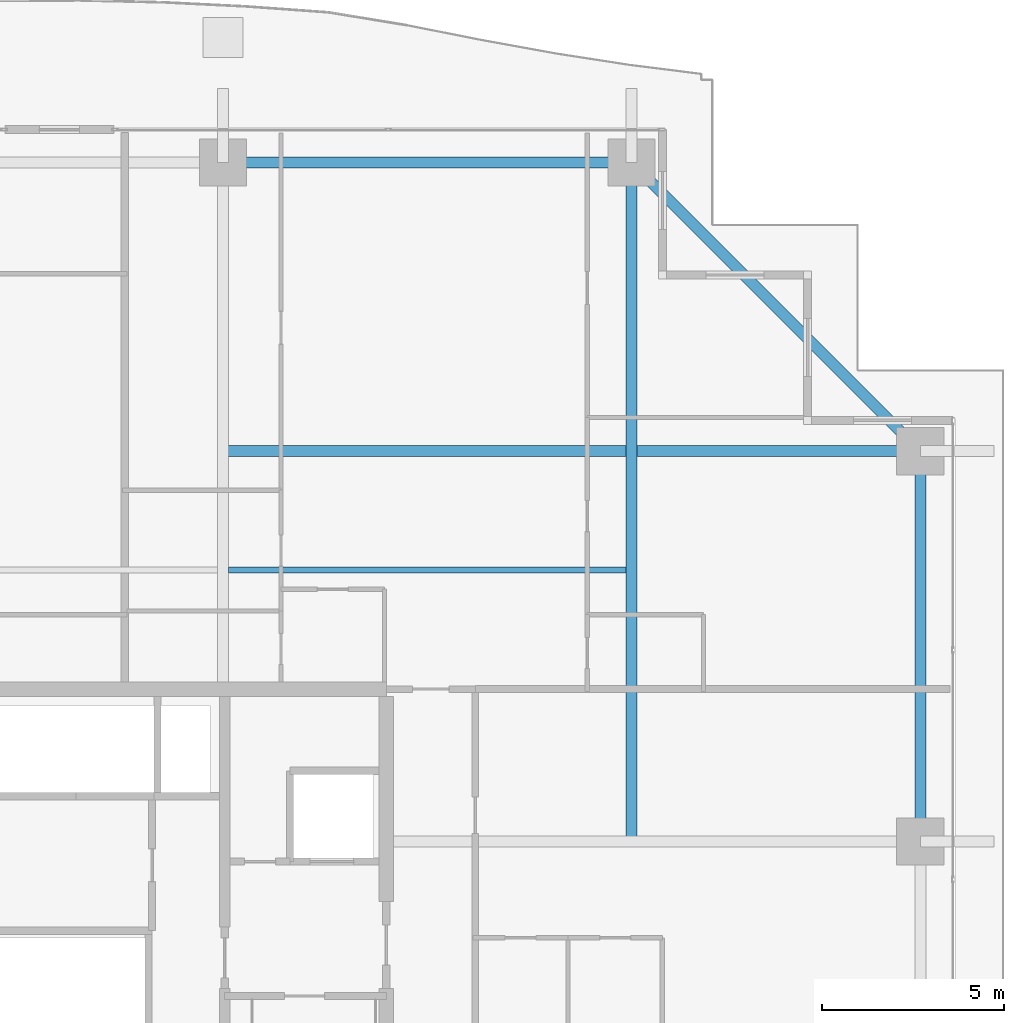
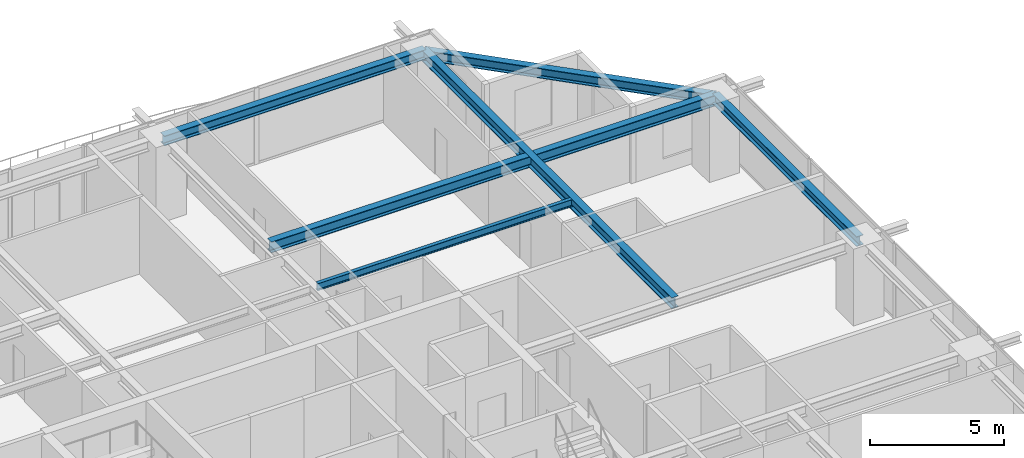
# One storey, part 23 of 38: 6 beams.
"""IFC4 building model written with IfcOpenShell, lengths in metres."""

from ifc_helpers import new_model, si_unit, direction, frame, origin, origin_2d, place, context, subcontext, project, spatial, i_section, extrude, source, transform, mapped, material, material_profile, profile_set, type_object, element, save


model = new_model("IFC4")

# Units and contexts
model_context = context("Model", 3, precision=1e-05, world=origin(), true_north=direction((0.0, 1.0)))
body_context = subcontext(model_context, "Body", "Model", "MODEL_VIEW")
ifc_project = project(units=[si_unit("LENGTHUNIT", "METRE"), si_unit("AREAUNIT", "SQUARE_METRE"), si_unit("VOLUMEUNIT", "CUBIC_METRE"), si_unit("PLANEANGLEUNIT", "RADIAN"), si_unit("MASSUNIT", "GRAM", prefix="KILO")], contexts=[model_context])

# Site, building, storey
site_placement = place(None, origin())
site = spatial("IfcSite", under=ifc_project, at=site_placement, CompositionType="ELEMENT")
building_placement = place(site_placement, origin())
building = spatial("IfcBuilding", under=site, at=building_placement, Name="Serunith Strait Residences", CompositionType="ELEMENT")
storey_placement = place(building_placement, frame((0.0, 0.0, 183.89990234375)))
storey = spatial("IfcBuildingStorey", under=building, at=storey_placement, Name="L46", CompositionType="ELEMENT", Elevation=183.89990234375)

# Beams
ifc_material = material(Name="Steel S355J2", Category="steel")
ifc_material_profile_1 = material_profile(ifc_material, i_section(OverallWidth=0.300048828125, OverallDepth=0.5, WebThickness=0.014404296875, FlangeThickness=0.028076171875, FilletRadius=0.027099609375, at=origin_2d()), Name="HEB 500")
ifc_profile_set_1 = profile_set([ifc_material_profile_1], Name="Steel S355J2")
beam_type_1 = type_object("IfcBeamType", Name="BM-HEB500", PredefinedType="BEAM", material=ifc_profile_set_1)
shared_shape_1 = source(origin(), body_context, "Body", "SweptSolid", [
    extrude(i_section(OverallWidth=0.300048828125, OverallDepth=0.5, WebThickness=0.014404296875, FlangeThickness=0.028076171875, FilletRadius=0.027099609375, at=origin_2d()), origin(), (0.0, 0.0, 1.0), 18.7001953125),
])
beam_1_placement = place(storey_placement, frame((48.14990234375, 29.39990234375, 3.237060546875), z_axis=(0.0, 1.0, 0.0), x_axis=(-1.0, 0.0, 0.0)))
element("IfcBeam", 1, at=beam_1_placement, inside=storey, type_object=beam_type_1, Name="L46 Orthogonal Corner Girder TC-N4", PredefinedType="BEAM", context=body_context, shape_type="MappedRepresentation", body=[
    mapped(shared_shape_1, transform((0.0, 0.0, 0.0), scale=1.0)),
])
shared_shape_2 = source(origin(), body_context, "Body", "SweptSolid", [
    extrude(i_section(OverallWidth=0.300048828125, OverallDepth=0.5, WebThickness=0.014404296875, FlangeThickness=0.028076171875, FilletRadius=0.027099609375, at=origin_2d()), origin(), (0.0, 0.0, 1.0), 19.2001953125),
])
beam_2_placement = place(storey_placement, frame((36.89990234375, 40.14990234375, 3.237060546875), z_axis=(1.0, 0.0, 0.0), x_axis=(0.0, 1.0, 0.0)))
element("IfcBeam", 2, at=beam_2_placement, inside=storey, type_object=beam_type_1, Name="L46 Orthogonal Corner Girder TC-E4", PredefinedType="BEAM", context=body_context, shape_type="MappedRepresentation", body=[
    mapped(shared_shape_2, transform((0.0, 0.0, 0.0), scale=1.0)),
])
ifc_material_profile_2 = material_profile(ifc_material, i_section(OverallWidth=0.300048828125, OverallDepth=0.449951171875, WebThickness=0.013916015625, FlangeThickness=0.02587890625, FilletRadius=0.027099609375, at=origin_2d()), Name="HEB 450")
ifc_profile_set_2 = profile_set([ifc_material_profile_2], Name="Steel S355J2")
beam_type_2 = type_object("IfcBeamType", Name="BM-HEB450", PredefinedType="BEAM", material=ifc_profile_set_2)
shared_shape_3 = source(origin(), body_context, "Body", "SweptSolid", [
    extrude(i_section(OverallWidth=0.300048828125, OverallDepth=0.449951171875, WebThickness=0.013916015625, FlangeThickness=0.02587890625, FilletRadius=0.027099609375, at=origin_2d()), origin(), (0.0, 0.0, 1.0), 11.25),
])
beam_3_placement = place(storey_placement, frame((48.14990234375, 48.10009765625, 3.26220703125), z_axis=(-1.0, 0.0, 0.0), x_axis=(0.0, -1.0, 0.0)))
element("IfcBeam", 3, at=beam_3_placement, inside=storey, type_object=beam_type_2, Name="L46 Perimeter Ring Beam 09", PredefinedType="BEAM", context=body_context, shape_type="MappedRepresentation", body=[
    mapped(shared_shape_3, transform((0.0, 0.0, 0.0), scale=1.0)),
])
shared_shape_4 = source(origin(), body_context, "Body", "SweptSolid", [
    extrude(i_section(OverallWidth=0.300048828125, OverallDepth=0.449951171875, WebThickness=0.013916015625, FlangeThickness=0.02587890625, FilletRadius=0.027099609375, at=origin_2d()), origin(), (0.0, 0.0, 1.0), 11.2431640625),
])
beam_4_placement = place(storey_placement, frame((56.10009765625, 40.14990234375, 3.232177734375), z_axis=(-0.707106781187, 0.707106781187, 0.0), x_axis=(-0.707106781187, -0.707106781187, 0.0)))
element("IfcBeam", 4, at=beam_4_placement, inside=storey, type_object=beam_type_2, Name="L46 Perimeter Ring Beam 08", PredefinedType="BEAM", context=body_context, shape_type="MappedRepresentation", body=[
    mapped(shared_shape_4, transform((0.0, 0.0, 0.0), scale=1.0)),
])
shared_shape_5 = source(origin(), body_context, "Body", "SweptSolid", [
    extrude(i_section(OverallWidth=0.300048828125, OverallDepth=0.449951171875, WebThickness=0.013916015625, FlangeThickness=0.02587890625, FilletRadius=0.027099609375, at=origin_2d()), origin(), (0.0, 0.0, 1.0), 10.75),
])
beam_5_placement = place(storey_placement, frame((56.10009765625, 29.39990234375, 3.26220703125), z_axis=(0.0, 1.0, 0.0), x_axis=(-1.0, 0.0, 0.0)))
element("IfcBeam", 5, at=beam_5_placement, inside=storey, type_object=beam_type_2, Name="L46 Perimeter Ring Beam 07", PredefinedType="BEAM", context=body_context, shape_type="MappedRepresentation", body=[
    mapped(shared_shape_5, transform((0.0, 0.0, 0.0), scale=1.0)),
])
ifc_material_profile_3 = material_profile(ifc_material, i_section(OverallWidth=0.159912109375, OverallDepth=0.330078125, WebThickness=0.007568359375, FlangeThickness=0.011474609375, FilletRadius=0.01806640625, at=origin_2d()), Name="IPE 330")
ifc_profile_set_3 = profile_set([ifc_material_profile_3], Name="Steel S355J2")
beam_type_3 = type_object("IfcBeamType", Name="BM-IPE330", PredefinedType="JOIST", material=ifc_profile_set_3)
shared_shape_6 = source(origin(), body_context, "Body", "SweptSolid", [
    extrude(i_section(OverallWidth=0.159912109375, OverallDepth=0.330078125, WebThickness=0.007568359375, FlangeThickness=0.011474609375, FilletRadius=0.01806640625, at=origin_2d()), origin(), (0.0, 0.0, 1.0), 10.949951171875),
])
beam_6_placement = place(storey_placement, frame((37.050048828125, 36.875, 3.322021484375), z_axis=(1.0, 0.0, 0.0), x_axis=(0.0, 1.0, 0.0)))
element("IfcBeam", 6, at=beam_6_placement, inside=storey, type_object=beam_type_3, Name="L46 Composite Floor Joist 06", PredefinedType="JOIST", context=body_context, shape_type="MappedRepresentation", body=[
    mapped(shared_shape_6, transform((0.0, 0.0, 0.0), scale=1.0)),
])

save(model, "model.ifc")
